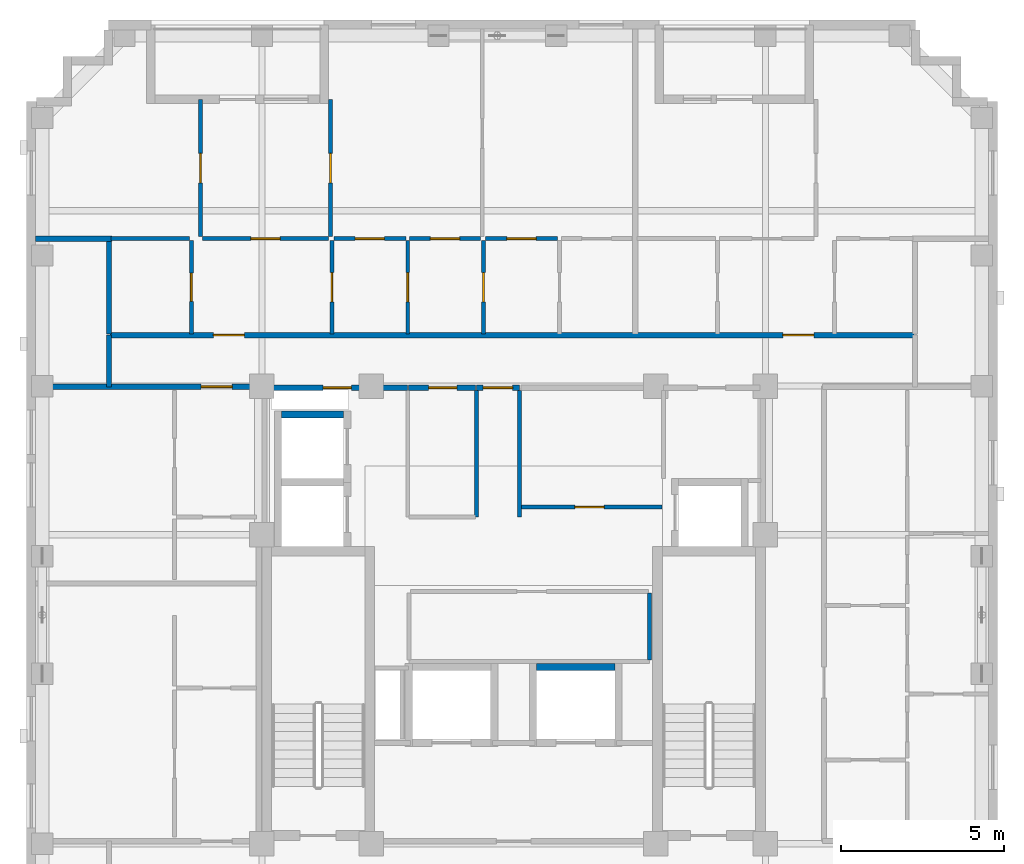
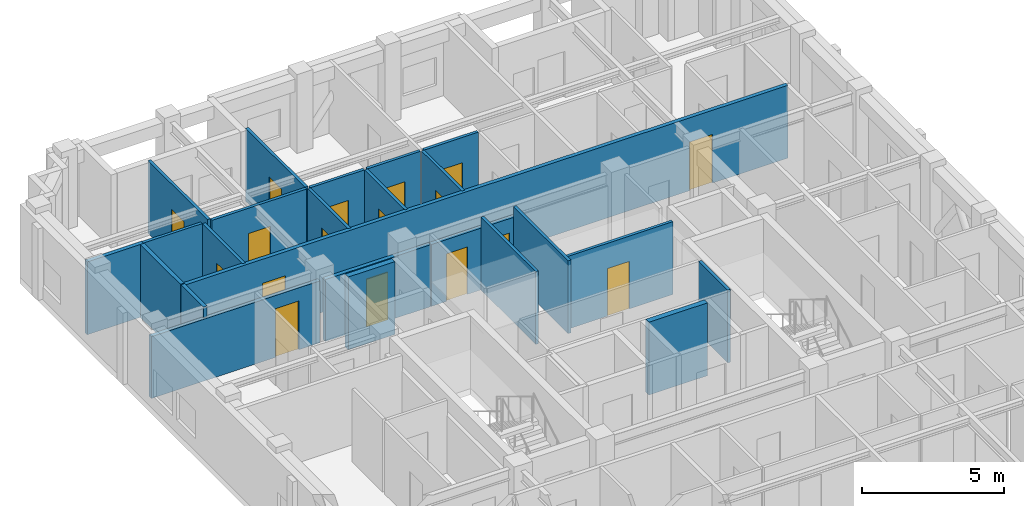
# One storey, part 5 of 11: 25 walls, 17 doors, 17 openings.
"""IFC4 building model written with IfcOpenShell, lengths in metres."""

from ifc_helpers import new_model, si_unit, derived_unit, direction, frame, frame_2d, origin, place, context, subcontext, project, spatial, rectangle, extrude, material, layer, layer_set, type_object, element, fill, save


model = new_model("IFC4")

# Units and contexts
model_context = context("Model", 3, precision=1e-05, world=origin(), true_north=direction((0.0, 1.0)))
body_context = subcontext(model_context, "Body", "Model", "MODEL_VIEW")
ifc_project = project(units=[si_unit("LENGTHUNIT", "METRE"), si_unit("AREAUNIT", "SQUARE_METRE"), si_unit("VOLUMEUNIT", "CUBIC_METRE"), si_unit("PLANEANGLEUNIT", "RADIAN"), si_unit("MASSUNIT", "GRAM", prefix="KILO"), derived_unit("THERMALTRANSMITTANCEUNIT", [(si_unit("MASSUNIT", "GRAM", prefix="KILO"), 1), (si_unit("TIMEUNIT", "SECOND"), -3), (si_unit("THERMODYNAMICTEMPERATUREUNIT", "KELVIN"), -1)])], contexts=[model_context])

# Site, building, storey
site_placement = place(None, origin())
site = spatial("IfcSite", under=ifc_project, at=site_placement, CompositionType="ELEMENT")
building_placement = place(site_placement, origin())
building = spatial("IfcBuilding", under=site, at=building_placement, Name="Korrvale Station Residences", CompositionType="ELEMENT")
storey_placement = place(building_placement, frame((0.0, 0.0, 247.89990234375)))
storey = spatial("IfcBuildingStorey", under=building, at=storey_placement, Name="L72", CompositionType="ELEMENT", Elevation=247.89990234375)

# Walls
ifc_material_1 = material(Name="Acoustic steel-stud gypsum board partition", Category="steel")
ifc_layer_1 = layer(ifc_material_1, 0.1201171875, Name="Acoustic steel-stud gypsum board partition")
ifc_layer_set_1 = layer_set([ifc_layer_1], Name="Acoustic steel-stud gypsum board partition")
wall_type_1 = type_object("IfcWallType", Name="WAL-PART-125", PredefinedType="PARTITIONING", material=ifc_layer_set_1)
for number, where, z_axis, x_axis, name in (
    (1, (24.360107421875, 25.0, 0.0), (0.0, 0.0, 1.0), (0.0, 1.0, 0.0), "L72 Core Partition CW-PSG-W"),
    (2, (25.679931640625, 25.0, 0.0), (0.0, 0.0, 1.0), (0.0, 1.0, 0.0), "L72 Core Partition CW-PSG-E"),
):
    element("IfcWall", number, at=place(storey_placement, frame(where, z_axis=z_axis, x_axis=x_axis)), inside=storey, type_object=wall_type_1, Name=name, PredefinedType="PARTITIONING", context=body_context, shape_type="SweptSolid", body=[
        extrude(rectangle(XDim=3.8701171875, YDim=0.1201171875, at=frame_2d((1.93505859375, 0.0))), origin(), (0.0, 0.0, 1.0), 3.14013671875),
    ])

# Wall, opening, door
wall_1_placement = place(storey_placement, frame((25.719970703125, 25.300048828125, 0.0), z_axis=(0.0, 0.0, 1.0), x_axis=(1.0, 0.0, 0.0)))
wall_1 = element("IfcWall", 3, at=wall_1_placement, inside=storey, type_object=wall_type_1, Name="L72 Core Partition CW-FPLE-S", PredefinedType="PARTITIONING", context=body_context, shape_type="SweptSolid", body=[
    extrude(rectangle(XDim=4.320068359375, YDim=0.1201171875, at=frame_2d((2.16015625, 0.0))), origin(), (0.0, 0.0, 1.0), 3.14013671875),
])
opening_1_placement = place(wall_1_placement, frame((1.64990234375, 0.0, 0.0)))
opening_1 = element("IfcOpeningElement", 4, at=opening_1_placement, cuts=wall_1, Name="Opening DI-900", PredefinedType="OPENING", context=body_context, shape_type="SweptSolid", body=[
    extrude(rectangle(XDim=0.89990234375, YDim=2.050048828125, at=frame_2d((0.449951171875, 1.02490234375))), frame((0.0, 0.070068359375, 0.0), z_axis=(0.0, -1.0, 0.0), x_axis=(1.0, 0.0, 0.0)), (0.0, 0.0, 1.0), 0.14013671875),
])
ifc_material_2 = material(Name="Painted solid-core timber interior room door", Category="wood")
door_type_1 = type_object("IfcDoorType", Name="DR-INT-900", OperationType="NOTDEFINED", PredefinedType="DOOR", material=ifc_material_2)
door_1_placement = place(opening_1_placement, origin())
door_1 = element("IfcDoor", 5, at=door_1_placement, inside=storey, type_object=door_type_1, Name="L72 Housekeeping Linen Door", OperationType="SINGLE_SWING_LEFT", OverallHeight=2.050048828125, OverallWidth=0.89990234375, PredefinedType="DOOR", context=body_context, shape_type="SweptSolid", body=[
    extrude(rectangle(XDim=0.89990234375, YDim=2.050048828125, at=frame_2d((0.449951171875, 1.02490234375))), frame((0.0, 0.02490234375, 0.0), z_axis=(0.0, -1.0, 0.0), x_axis=(1.0, 0.0, 0.0)), (0.0, 0.0, 1.0), 0.050048828125),
])
fill(opening_1, door_1)

# Wall
wall_2_placement = place(storey_placement, frame((29.659912109375, 20.6201171875, 0.0), z_axis=(0.0, 0.0, 1.0), x_axis=(0.0, 1.0, 0.0)))
element("IfcWall", 6, at=wall_2_placement, inside=storey, type_object=wall_type_1, Name="L72 Core Partition CW-FPM-E", PredefinedType="PARTITIONING", context=body_context, shape_type="SweptSolid", body=[
    extrude(rectangle(XDim=2.059814453125, YDim=0.1201171875, at=frame_2d((1.02978515625, 0.0))), origin(), (0.0, 0.0, 1.0), 3.14013671875),
])

# Wall, opening, door
wall_3_placement = place(storey_placement, frame((15.639892578125, 30.60009765625, 0.0), z_axis=(0.0, 0.0, 1.0), x_axis=(0.0, 1.0, 0.0)))
wall_3 = element("IfcWall", 7, at=wall_3_placement, inside=storey, type_object=wall_type_1, Name="L72 Suite Partition U04-V01", PredefinedType="PARTITIONING", context=body_context, shape_type="SweptSolid", body=[
    extrude(rectangle(XDim=2.849853515625, YDim=0.1201171875, at=frame_2d((1.4248046875, 0.0))), origin(), (0.0, 0.0, 1.0), 3.14013671875),
])
opening_2_placement = place(wall_3_placement, frame((0.9951171875, 0.0, 0.0)))
opening_2 = element("IfcOpeningElement", 8, at=opening_2_placement, cuts=wall_3, Name="Opening DB-860", PredefinedType="OPENING", context=body_context, shape_type="SweptSolid", body=[
    extrude(rectangle(XDim=0.860107421875, YDim=2.050048828125, at=frame_2d((0.43017578125, 1.02490234375))), frame((0.0, 0.070068359375, 0.0), z_axis=(0.0, -1.0, 0.0), x_axis=(1.0, 0.0, 0.0)), (0.0, 0.0, 1.0), 0.14013671875),
])
ifc_material_3 = material(Name="Moisture-resistant solid-core bathroom door", Category="timber")
door_type_2 = type_object("IfcDoorType", Name="DR-BATH-860", OperationType="NOTDEFINED", PredefinedType="DOOR", material=ifc_material_3)
door_2_placement = place(opening_2_placement, origin())
door_2 = element("IfcDoor", 9, at=door_2_placement, inside=storey, type_object=door_type_2, Name="L72 Apartment 2BR L72-U04 Bathroom Door", OperationType="SINGLE_SWING_RIGHT", OverallHeight=2.050048828125, OverallWidth=0.860107421875, PredefinedType="DOOR", context=body_context, shape_type="SweptSolid", body=[
    extrude(rectangle(XDim=0.860107421875, YDim=2.050048828125, at=frame_2d((0.43017578125, 1.02490234375))), frame((0.0, 0.02490234375, 0.0), z_axis=(0.0, -1.0, 0.0), x_axis=(1.0, 0.0, 0.0)), (0.0, 0.0, 1.0), 0.050048828125),
])
fill(opening_2, door_2)

# Wall
wall_4_placement = place(storey_placement, frame((13.179931640625, 33.510009765625, 0.0), z_axis=(0.0, 0.0, 1.0), x_axis=(1.0, 0.0, 0.0)))
element("IfcWall", 10, at=wall_4_placement, inside=storey, type_object=wall_type_1, Name="L72 Suite Partition U04-H06", PredefinedType="PARTITIONING", context=body_context, shape_type="SweptSolid", body=[
    extrude(rectangle(XDim=2.400146484375, YDim=0.1201171875, at=frame_2d((1.2001953125, 0.0))), origin(), (0.0, 0.0, 1.0), 3.14013671875),
])

# Wall, opening, door
wall_5_placement = place(storey_placement, frame((19.93994140625, 30.60009765625, 0.0), z_axis=(0.0, 0.0, 1.0), x_axis=(0.0, 1.0, 0.0)))
wall_5 = element("IfcWall", 11, at=wall_5_placement, inside=storey, type_object=wall_type_1, Name="L72 Suite Partition U04-V12", PredefinedType="PARTITIONING", context=body_context, shape_type="SweptSolid", body=[
    extrude(rectangle(XDim=2.849853515625, YDim=0.1201171875, at=frame_2d((1.4248046875, 0.0))), origin(), (0.0, 0.0, 1.0), 3.14013671875),
])
opening_3_placement = place(wall_5_placement, frame((0.97509765625, 0.0, 0.0)))
opening_3 = element("IfcOpeningElement", 12, at=opening_3_placement, cuts=wall_5, Name="Opening DI-900", PredefinedType="OPENING", context=body_context, shape_type="SweptSolid", body=[
    extrude(rectangle(XDim=0.89990234375, YDim=2.050048828125, at=frame_2d((0.449951171875, 1.02490234375))), frame((0.0, 0.070068359375, 0.0), z_axis=(0.0, -1.0, 0.0), x_axis=(1.0, 0.0, 0.0)), (0.0, 0.0, 1.0), 0.14013671875),
])
door_3_placement = place(opening_3_placement, origin())
door_3 = element("IfcDoor", 13, at=door_3_placement, inside=storey, type_object=door_type_1, Name="L72 Apartment 2BR L72-U04 Kitchen Door", OperationType="SINGLE_SWING_LEFT", OverallHeight=2.050048828125, OverallWidth=0.89990234375, PredefinedType="DOOR", context=body_context, shape_type="SweptSolid", body=[
    extrude(rectangle(XDim=0.89990234375, YDim=2.050048828125, at=frame_2d((0.449951171875, 1.02490234375))), frame((0.0, 0.02490234375, 0.0), z_axis=(0.0, -1.0, 0.0), x_axis=(1.0, 0.0, 0.0)), (0.0, 0.0, 1.0), 0.050048828125),
])
fill(opening_3, door_3)

wall_6_placement = place(storey_placement, frame((15.97802734375, 33.510009765625, 0.0), z_axis=(0.0, 0.0, 1.0), x_axis=(1.0, 0.0, 0.0)))
wall_6 = element("IfcWall", 14, at=wall_6_placement, inside=storey, type_object=wall_type_1, Name="L72 Suite Partition U04-H17", PredefinedType="PARTITIONING", context=body_context, shape_type="SweptSolid", body=[
    extrude(rectangle(XDim=3.862060546875, YDim=0.1201171875, at=frame_2d((1.93115234375, 0.0))), origin(), (0.0, 0.0, 1.0), 3.14013671875),
])
opening_4_placement = place(wall_6_placement, frame((1.48095703125, 0.0, 0.0)))
opening_4 = element("IfcOpeningElement", 15, at=opening_4_placement, cuts=wall_6, Name="Opening DI-900", PredefinedType="OPENING", context=body_context, shape_type="SweptSolid", body=[
    extrude(rectangle(XDim=0.89990234375, YDim=2.050048828125, at=frame_2d((0.449951171875, 1.02490234375))), frame((0.0, 0.070068359375, 0.0), z_axis=(0.0, -1.0, 0.0), x_axis=(1.0, 0.0, 0.0)), (0.0, 0.0, 1.0), 0.14013671875),
])
door_4_placement = place(opening_4_placement, origin())
door_4 = element("IfcDoor", 16, at=door_4_placement, inside=storey, type_object=door_type_1, Name="L72 Apartment 2BR L72-U04 Kitchen Door", OperationType="SINGLE_SWING_RIGHT", OverallHeight=2.050048828125, OverallWidth=0.89990234375, PredefinedType="DOOR", context=body_context, shape_type="SweptSolid", body=[
    extrude(rectangle(XDim=0.89990234375, YDim=2.050048828125, at=frame_2d((0.449951171875, 1.02490234375))), frame((0.0, 0.02490234375, 0.0), z_axis=(0.0, -1.0, 0.0), x_axis=(1.0, 0.0, 0.0)), (0.0, 0.0, 1.0), 0.050048828125),
])
fill(opening_4, door_4)

wall_7_placement = place(storey_placement, frame((22.260009765625, 30.60009765625, 0.0), z_axis=(0.0, 0.0, 1.0), x_axis=(0.0, 1.0, 0.0)))
wall_7 = element("IfcWall", 17, at=wall_7_placement, inside=storey, type_object=wall_type_1, Name="L72 Suite Partition U04-V23", PredefinedType="PARTITIONING", context=body_context, shape_type="SweptSolid", body=[
    extrude(rectangle(XDim=2.849853515625, YDim=0.1201171875, at=frame_2d((1.4248046875, 0.0))), origin(), (0.0, 0.0, 1.0), 3.14013671875),
])
opening_5_placement = place(wall_7_placement, frame((0.97509765625, 0.0, 0.0)))
opening_5 = element("IfcOpeningElement", 18, at=opening_5_placement, cuts=wall_7, Name="Opening DI-900", PredefinedType="OPENING", context=body_context, shape_type="SweptSolid", body=[
    extrude(rectangle(XDim=0.89990234375, YDim=2.050048828125, at=frame_2d((0.449951171875, 1.02490234375))), frame((0.0, 0.070068359375, 0.0), z_axis=(0.0, -1.0, 0.0), x_axis=(1.0, 0.0, 0.0)), (0.0, 0.0, 1.0), 0.14013671875),
])
door_5_placement = place(opening_5_placement, origin())
door_5 = element("IfcDoor", 19, at=door_5_placement, inside=storey, type_object=door_type_1, Name="L72 Apartment 2BR L72-U04 Wardrobe Storage Room Door", OperationType="SINGLE_SWING_LEFT", OverallHeight=2.050048828125, OverallWidth=0.89990234375, PredefinedType="DOOR", context=body_context, shape_type="SweptSolid", body=[
    extrude(rectangle(XDim=0.89990234375, YDim=2.050048828125, at=frame_2d((0.449951171875, 1.02490234375))), frame((0.0, 0.02490234375, 0.0), z_axis=(0.0, -1.0, 0.0), x_axis=(1.0, 0.0, 0.0)), (0.0, 0.0, 1.0), 0.050048828125),
])
fill(opening_5, door_5)

wall_8_placement = place(storey_placement, frame((20.0, 33.510009765625, 0.0), z_axis=(0.0, 0.0, 1.0), x_axis=(1.0, 0.0, 0.0)))
wall_8 = element("IfcWall", 20, at=wall_8_placement, inside=storey, type_object=wall_type_1, Name="L72 Suite Partition U04-H28", PredefinedType="PARTITIONING", context=body_context, shape_type="SweptSolid", body=[
    extrude(rectangle(XDim=2.199951171875, YDim=0.1201171875, at=frame_2d((1.10009765625, 0.0))), origin(), (0.0, 0.0, 1.0), 3.14013671875),
])
opening_6_placement = place(wall_8_placement, frame((0.64990234375, 0.0, 0.0)))
opening_6 = element("IfcOpeningElement", 21, at=opening_6_placement, cuts=wall_8, Name="Opening DI-900", PredefinedType="OPENING", context=body_context, shape_type="SweptSolid", body=[
    extrude(rectangle(XDim=0.89990234375, YDim=2.050048828125, at=frame_2d((0.449951171875, 1.02490234375))), frame((0.0, 0.070068359375, 0.0), z_axis=(0.0, -1.0, 0.0), x_axis=(1.0, 0.0, 0.0)), (0.0, 0.0, 1.0), 0.14013671875),
])
door_6_placement = place(opening_6_placement, origin())
door_6 = element("IfcDoor", 22, at=door_6_placement, inside=storey, type_object=door_type_1, Name="L72 Apartment 2BR L72-U04 Wardrobe Storage Room Door", OperationType="SINGLE_SWING_RIGHT", OverallHeight=2.050048828125, OverallWidth=0.89990234375, PredefinedType="DOOR", context=body_context, shape_type="SweptSolid", body=[
    extrude(rectangle(XDim=0.89990234375, YDim=2.050048828125, at=frame_2d((0.449951171875, 1.02490234375))), frame((0.0, 0.02490234375, 0.0), z_axis=(0.0, -1.0, 0.0), x_axis=(1.0, 0.0, 0.0)), (0.0, 0.0, 1.0), 0.050048828125),
])
fill(opening_6, door_6)

wall_9_placement = place(storey_placement, frame((24.580078125, 30.60009765625, 0.0), z_axis=(0.0, 0.0, 1.0), x_axis=(0.0, 1.0, 0.0)))
wall_9 = element("IfcWall", 23, at=wall_9_placement, inside=storey, type_object=wall_type_1, Name="L72 Suite Partition U04-V34", PredefinedType="PARTITIONING", context=body_context, shape_type="SweptSolid", body=[
    extrude(rectangle(XDim=2.849853515625, YDim=0.1201171875, at=frame_2d((1.4248046875, 0.0))), origin(), (0.0, 0.0, 1.0), 3.14013671875),
])
opening_7_placement = place(wall_9_placement, frame((0.97509765625, 0.0, 0.0)))
opening_7 = element("IfcOpeningElement", 24, at=opening_7_placement, cuts=wall_9, Name="Opening DI-900", PredefinedType="OPENING", context=body_context, shape_type="SweptSolid", body=[
    extrude(rectangle(XDim=0.89990234375, YDim=2.050048828125, at=frame_2d((0.449951171875, 1.02490234375))), frame((0.0, 0.070068359375, 0.0), z_axis=(0.0, -1.0, 0.0), x_axis=(1.0, 0.0, 0.0)), (0.0, 0.0, 1.0), 0.14013671875),
])
door_7_placement = place(opening_7_placement, origin())
door_7 = element("IfcDoor", 25, at=door_7_placement, inside=storey, type_object=door_type_1, Name="L72 Apartment 2BR L72-U04 Wardrobe Storage Room Door", OperationType="SINGLE_SWING_LEFT", OverallHeight=2.050048828125, OverallWidth=0.89990234375, PredefinedType="DOOR", context=body_context, shape_type="SweptSolid", body=[
    extrude(rectangle(XDim=0.89990234375, YDim=2.050048828125, at=frame_2d((0.449951171875, 1.02490234375))), frame((0.0, 0.02490234375, 0.0), z_axis=(0.0, -1.0, 0.0), x_axis=(1.0, 0.0, 0.0)), (0.0, 0.0, 1.0), 0.050048828125),
])
fill(opening_7, door_7)

wall_10_placement = place(storey_placement, frame((22.320068359375, 33.510009765625, 0.0), z_axis=(0.0, 0.0, 1.0), x_axis=(1.0, 0.0, 0.0)))
wall_10 = element("IfcWall", 26, at=wall_10_placement, inside=storey, type_object=wall_type_1, Name="L72 Suite Partition U04-H38", PredefinedType="PARTITIONING", context=body_context, shape_type="SweptSolid", body=[
    extrude(rectangle(XDim=2.159912109375, YDim=0.1201171875, at=frame_2d((1.080078125, 0.0))), origin(), (0.0, 0.0, 1.0), 3.14013671875),
])
opening_8_placement = place(wall_10_placement, frame((0.6298828125, 0.0, 0.0)))
opening_8 = element("IfcOpeningElement", 27, at=opening_8_placement, cuts=wall_10, Name="Opening DI-900", PredefinedType="OPENING", context=body_context, shape_type="SweptSolid", body=[
    extrude(rectangle(XDim=0.89990234375, YDim=2.050048828125, at=frame_2d((0.449951171875, 1.02490234375))), frame((0.0, 0.070068359375, 0.0), z_axis=(0.0, -1.0, 0.0), x_axis=(1.0, 0.0, 0.0)), (0.0, 0.0, 1.0), 0.14013671875),
])
door_8_placement = place(opening_8_placement, origin())
door_8 = element("IfcDoor", 28, at=door_8_placement, inside=storey, type_object=door_type_1, Name="L72 Apartment 2BR L72-U04 Wardrobe Storage Room Door", OperationType="SINGLE_SWING_RIGHT", OverallHeight=2.050048828125, OverallWidth=0.89990234375, PredefinedType="DOOR", context=body_context, shape_type="SweptSolid", body=[
    extrude(rectangle(XDim=0.89990234375, YDim=2.050048828125, at=frame_2d((0.449951171875, 1.02490234375))), frame((0.0, 0.02490234375, 0.0), z_axis=(0.0, -1.0, 0.0), x_axis=(1.0, 0.0, 0.0)), (0.0, 0.0, 1.0), 0.050048828125),
])
fill(opening_8, door_8)

wall_11_placement = place(storey_placement, frame((24.639892578125, 33.510009765625, 0.0), z_axis=(0.0, 0.0, 1.0), x_axis=(1.0, 0.0, 0.0)))
wall_11 = element("IfcWall", 29, at=wall_11_placement, inside=storey, type_object=wall_type_1, Name="L72 Suite Partition U04-H49", PredefinedType="PARTITIONING", context=body_context, shape_type="SweptSolid", body=[
    extrude(rectangle(XDim=2.2001953125, YDim=0.1201171875, at=frame_2d((1.10009765625, 0.0))), origin(), (0.0, 0.0, 1.0), 3.14013671875),
])
opening_9_placement = place(wall_11_placement, frame((0.64990234375, 0.0, 0.0)))
opening_9 = element("IfcOpeningElement", 30, at=opening_9_placement, cuts=wall_11, Name="Opening DI-900", PredefinedType="OPENING", context=body_context, shape_type="SweptSolid", body=[
    extrude(rectangle(XDim=0.89990234375, YDim=2.050048828125, at=frame_2d((0.449951171875, 1.02490234375))), frame((0.0, 0.070068359375, 0.0), z_axis=(0.0, -1.0, 0.0), x_axis=(1.0, 0.0, 0.0)), (0.0, 0.0, 1.0), 0.14013671875),
])
door_9_placement = place(opening_9_placement, origin())
door_9 = element("IfcDoor", 31, at=door_9_placement, inside=storey, type_object=door_type_1, Name="L72 Apartment 2BR L72-U04 Wardrobe Storage Room Door", OperationType="SINGLE_SWING_RIGHT", OverallHeight=2.050048828125, OverallWidth=0.89990234375, PredefinedType="DOOR", context=body_context, shape_type="SweptSolid", body=[
    extrude(rectangle(XDim=0.89990234375, YDim=2.050048828125, at=frame_2d((0.449951171875, 1.02490234375))), frame((0.0, 0.02490234375, 0.0), z_axis=(0.0, -1.0, 0.0), x_axis=(1.0, 0.0, 0.0)), (0.0, 0.0, 1.0), 0.050048828125),
])
fill(opening_9, door_9)

wall_12_placement = place(storey_placement, frame((15.91796875, 33.570068359375, 0.0), z_axis=(0.0, 0.0, 1.0), x_axis=(0.0, 1.0, 0.0)))
wall_12 = element("IfcWall", 32, at=wall_12_placement, inside=storey, type_object=wall_type_1, Name="L72 Suite Partition U04-V67", PredefinedType="PARTITIONING", context=body_context, shape_type="SweptSolid", body=[
    extrude(rectangle(XDim=4.199951171875, YDim=0.1201171875, at=frame_2d((2.10009765625, 0.0))), origin(), (0.0, 0.0, 1.0), 3.14013671875),
])
opening_10_placement = place(wall_12_placement, frame((1.64990234375, 0.0, 0.0)))
opening_10 = element("IfcOpeningElement", 33, at=opening_10_placement, cuts=wall_12, Name="Opening DI-900", PredefinedType="OPENING", context=body_context, shape_type="SweptSolid", body=[
    extrude(rectangle(XDim=0.89990234375, YDim=2.050048828125, at=frame_2d((0.449951171875, 1.02490234375))), frame((0.0, 0.070068359375, 0.0), z_axis=(0.0, -1.0, 0.0), x_axis=(1.0, 0.0, 0.0)), (0.0, 0.0, 1.0), 0.14013671875),
])
door_10_placement = place(opening_10_placement, origin())
door_10 = element("IfcDoor", 34, at=door_10_placement, inside=storey, type_object=door_type_1, Name="L72 Apartment 2BR L72-U04 Living and Dining Room Door", OperationType="SINGLE_SWING_RIGHT", OverallHeight=2.050048828125, OverallWidth=0.89990234375, PredefinedType="DOOR", context=body_context, shape_type="SweptSolid", body=[
    extrude(rectangle(XDim=0.89990234375, YDim=2.050048828125, at=frame_2d((0.449951171875, 1.02490234375))), frame((0.0, 0.02490234375, 0.0), z_axis=(0.0, -1.0, 0.0), x_axis=(1.0, 0.0, 0.0)), (0.0, 0.0, 1.0), 0.050048828125),
])
fill(opening_10, door_10)

wall_13_placement = place(storey_placement, frame((19.89990234375, 33.570068359375, 0.0), z_axis=(0.0, 0.0, 1.0), x_axis=(0.0, 1.0, 0.0)))
wall_13 = element("IfcWall", 35, at=wall_13_placement, inside=storey, type_object=wall_type_1, Name="L72 Suite Partition U04-V78", PredefinedType="PARTITIONING", context=body_context, shape_type="SweptSolid", body=[
    extrude(rectangle(XDim=4.199951171875, YDim=0.1201171875, at=frame_2d((2.10009765625, 0.0))), origin(), (0.0, 0.0, 1.0), 3.14013671875),
])
opening_11_placement = place(wall_13_placement, frame((1.64990234375, 0.0, 0.0)))
opening_11 = element("IfcOpeningElement", 36, at=opening_11_placement, cuts=wall_13, Name="Opening DI-900", PredefinedType="OPENING", context=body_context, shape_type="SweptSolid", body=[
    extrude(rectangle(XDim=0.89990234375, YDim=2.050048828125, at=frame_2d((0.449951171875, 1.02490234375))), frame((0.0, 0.070068359375, 0.0), z_axis=(0.0, -1.0, 0.0), x_axis=(1.0, 0.0, 0.0)), (0.0, 0.0, 1.0), 0.14013671875),
])
door_11_placement = place(opening_11_placement, origin())
door_11 = element("IfcDoor", 37, at=door_11_placement, inside=storey, type_object=door_type_1, Name="L72 Apartment 2BR L72-U04 Formal Dining Room Door", OperationType="SINGLE_SWING_LEFT", OverallHeight=2.050048828125, OverallWidth=0.89990234375, PredefinedType="DOOR", context=body_context, shape_type="SweptSolid", body=[
    extrude(rectangle(XDim=0.89990234375, YDim=2.050048828125, at=frame_2d((0.449951171875, 1.02490234375))), frame((0.0, 0.02490234375, 0.0), z_axis=(0.0, -1.0, 0.0), x_axis=(1.0, 0.0, 0.0)), (0.0, 0.0, 1.0), 0.050048828125),
])
fill(opening_11, door_11)

ifc_material_4 = material(Name="Fire-rated twin-stud gypsum and mineral wool shaftwall assembly", Category="gypsum")
ifc_layer_2 = layer(ifc_material_4, 0.159912109375, Name="Fire-rated twin-stud gypsum and mineral wool shaftwall assembly")
ifc_layer_set_2 = layer_set([ifc_layer_2], Name="Fire-rated twin-stud gypsum and mineral wool shaftwall assembly")
wall_type_2 = type_object("IfcWallType", Name="WAL-PART-200", PredefinedType="PARTITIONING", material=ifc_layer_set_2)
wall_14_placement = place(storey_placement, frame((24.360107421875, 28.949951171875, 0.0), z_axis=(0.0, 0.0, 1.0), x_axis=(1.0, 0.0, 0.0)))
wall_14 = element("IfcWall", 38, at=wall_14_placement, inside=storey, type_object=wall_type_2, Name="L72 Core Partition CW-LLOB-N", PredefinedType="PARTITIONING", context=body_context, shape_type="SweptSolid", body=[
    extrude(rectangle(XDim=1.31982421875, YDim=0.159912109375, at=frame_2d((0.659912109375, 0.0))), origin(), (0.0, 0.0, 1.0), 2.668212890625),
])
opening_12_placement = place(wall_14_placement, frame((0.2099609375, 0.0, 0.0)))
opening_12 = element("IfcOpeningElement", 39, at=opening_12_placement, cuts=wall_14, Name="Opening DI-900", PredefinedType="OPENING", context=body_context, shape_type="SweptSolid", body=[
    extrude(rectangle(XDim=0.89990234375, YDim=2.050048828125, at=frame_2d((0.449951171875, 1.02490234375))), frame((0.0, 0.08984375, 0.0), z_axis=(0.0, -1.0, 0.0), x_axis=(1.0, 0.0, 0.0)), (0.0, 0.0, 1.0), 0.179931640625),
])
door_12_placement = place(opening_12_placement, origin())
door_12 = element("IfcDoor", 40, at=door_12_placement, inside=storey, type_object=door_type_1, Name="L72 Central Hallway North Passage Door", OperationType="SINGLE_SWING_LEFT", OverallHeight=2.050048828125, OverallWidth=0.89990234375, PredefinedType="DOOR", context=body_context, shape_type="SweptSolid", body=[
    extrude(rectangle(XDim=0.89990234375, YDim=2.050048828125, at=frame_2d((0.449951171875, 1.02490234375))), frame((0.0, 0.02490234375, 0.0), z_axis=(0.0, -1.0, 0.0), x_axis=(1.0, 0.0, 0.0)), (0.0, 0.0, 1.0), 0.050048828125),
])
fill(opening_12, door_12)

wall_15_placement = place(storey_placement, frame((17.9599609375, 28.949951171875, 0.0), z_axis=(0.0, 0.0, 1.0), x_axis=(1.0, 0.0, 0.0)))
wall_15 = element("IfcWall", 41, at=wall_15_placement, inside=storey, type_object=wall_type_2, Name="L72 Core Partition CW-NW", PredefinedType="PARTITIONING", context=body_context, shape_type="SweptSolid", body=[
    extrude(rectangle(XDim=4.2900390625, YDim=0.159912109375, at=frame_2d((2.14501953125, 0.0))), origin(), (0.0, 0.0, 1.0), 2.668212890625),
])
opening_13_placement = place(wall_15_placement, frame((1.715087890625, 0.0, 0.0)))
opening_13 = element("IfcOpeningElement", 42, at=opening_13_placement, cuts=wall_15, Name="Opening DB-860", PredefinedType="OPENING", context=body_context, shape_type="SweptSolid", body=[
    extrude(rectangle(XDim=0.860107421875, YDim=2.050048828125, at=frame_2d((0.43017578125, 1.02490234375))), frame((0.0, 0.08984375, 0.0), z_axis=(0.0, -1.0, 0.0), x_axis=(1.0, 0.0, 0.0)), (0.0, 0.0, 1.0), 0.179931640625),
])
door_13_placement = place(opening_13_placement, origin())
door_13 = element("IfcDoor", 43, at=door_13_placement, inside=storey, type_object=door_type_2, Name="L72 Electrical Riser Access Door", OperationType="SINGLE_SWING_RIGHT", OverallHeight=2.050048828125, OverallWidth=0.860107421875, PredefinedType="DOOR", context=body_context, shape_type="SweptSolid", body=[
    extrude(rectangle(XDim=0.860107421875, YDim=2.050048828125, at=frame_2d((0.43017578125, 1.02490234375))), frame((0.0, 0.02490234375, 0.0), z_axis=(0.0, -1.0, 0.0), x_axis=(1.0, 0.0, 0.0)), (0.0, 0.0, 1.0), 0.050048828125),
])
fill(opening_13, door_13)

wall_16_placement = place(storey_placement, frame((22.280029296875, 28.949951171875, 0.0), z_axis=(0.0, 0.0, 1.0), x_axis=(1.0, 0.0, 0.0)))
wall_16 = element("IfcWall", 44, at=wall_16_placement, inside=storey, type_object=wall_type_2, Name="L72 Core Partition CW-FPLW-N", PredefinedType="PARTITIONING", context=body_context, shape_type="SweptSolid", body=[
    extrude(rectangle(XDim=2.06005859375, YDim=0.159912109375, at=frame_2d((1.030029296875, 0.0))), origin(), (0.0, 0.0, 1.0), 2.668212890625),
])
opening_14_placement = place(wall_16_placement, frame((0.6201171875, 0.0, 0.0)))
opening_14 = element("IfcOpeningElement", 45, at=opening_14_placement, cuts=wall_16, Name="Opening DB-860", PredefinedType="OPENING", context=body_context, shape_type="SweptSolid", body=[
    extrude(rectangle(XDim=0.860107421875, YDim=2.050048828125, at=frame_2d((0.43017578125, 1.02490234375))), frame((0.0, 0.08984375, 0.0), z_axis=(0.0, -1.0, 0.0), x_axis=(1.0, 0.0, 0.0)), (0.0, 0.0, 1.0), 0.179931640625),
])
door_14_placement = place(opening_14_placement, origin())
door_14 = element("IfcDoor", 46, at=door_14_placement, inside=storey, type_object=door_type_2, Name="L72 Resident Parcel Room Door", OperationType="SINGLE_SWING_RIGHT", OverallHeight=2.050048828125, OverallWidth=0.860107421875, PredefinedType="DOOR", context=body_context, shape_type="SweptSolid", body=[
    extrude(rectangle(XDim=0.860107421875, YDim=2.050048828125, at=frame_2d((0.43017578125, 1.02490234375))), frame((0.0, 0.02490234375, 0.0), z_axis=(0.0, -1.0, 0.0), x_axis=(1.0, 0.0, 0.0)), (0.0, 0.0, 1.0), 0.050048828125),
])
fill(opening_14, door_14)

# Walls
wall_17_placement = place(storey_placement, frame((13.1201171875, 28.97998046875, 0.0), z_axis=(0.0, 0.0, 1.0), x_axis=(0.0, 1.0, 0.0)))
element("IfcWall", 47, at=wall_17_placement, inside=storey, type_object=wall_type_2, Name="L72 Corridor North West Cap", PredefinedType="PARTITIONING", context=body_context, shape_type="SweptSolid", body=[
    extrude(rectangle(XDim=1.580078125, YDim=0.159912109375, at=frame_2d((0.7900390625, 0.0))), origin(), (0.0, 0.0, 1.0), 3.14013671875),
])
wall_18_placement = place(storey_placement, frame((10.8798828125, 33.510009765625, 0.0), z_axis=(0.0, 0.0, 1.0), x_axis=(1.0, 0.0, 0.0)))
element("IfcWall", 48, at=wall_18_placement, inside=storey, type_object=wall_type_2, Name="L72 Corner Step Wall U04-L", PredefinedType="PARTITIONING", context=body_context, shape_type="SweptSolid", body=[
    extrude(rectangle(XDim=2.340087890625, YDim=0.159912109375, at=frame_2d((1.169921875, 0.0))), origin(), (0.0, 0.0, 1.0), 3.14013671875),
])
wall_19_placement = place(storey_placement, frame((13.1201171875, 30.60009765625, 0.0), z_axis=(0.0, 0.0, 1.0), x_axis=(0.0, 1.0, 0.0)))
element("IfcWall", 49, at=wall_19_placement, inside=storey, type_object=wall_type_2, Name="L72 Corner Step Cheek U04-L", PredefinedType="PARTITIONING", context=body_context, shape_type="SweptSolid", body=[
    extrude(rectangle(XDim=2.909912109375, YDim=0.159912109375, at=frame_2d((1.455078125, 0.0))), origin(), (0.0, 0.0, 1.0), 3.14013671875),
])

# Wall, opening, door
wall_20_placement = place(storey_placement, frame((10.8798828125, 28.97998046875, 0.0), z_axis=(0.0, 0.0, 1.0), x_axis=(1.0, 0.0, 0.0)))
wall_20 = element("IfcWall", 50, at=wall_20_placement, inside=storey, type_object=wall_type_2, Name="L72 Side Suite North Entry Wall U07", PredefinedType="PARTITIONING", context=body_context, shape_type="SweptSolid", body=[
    extrude(rectangle(XDim=6.880126953125, YDim=0.159912109375, at=frame_2d((3.43994140625, 0.0))), origin(), (0.0, 0.0, 1.0), 2.668212890625),
])
opening_15_placement = place(wall_20_placement, frame((5.06005859375, 0.0, 0.0)))
opening_15 = element("IfcOpeningElement", 51, at=opening_15_placement, cuts=wall_20, Name="Opening UD-950", PredefinedType="OPENING", context=body_context, shape_type="SweptSolid", body=[
    extrude(rectangle(XDim=0.949951171875, YDim=2.10009765625, at=frame_2d((0.47509765625, 1.050048828125))), frame((0.0, 0.08984375, 0.0), z_axis=(0.0, -1.0, 0.0), x_axis=(1.0, 0.0, 0.0)), (0.0, 0.0, 1.0), 0.179931640625),
])
ifc_material_5 = material(Name="Solid-core acoustic oak apartment entrance door", Category="timber")
door_type_3 = type_object("IfcDoorType", Name="DR-UNIT-950", OperationType="NOTDEFINED", PredefinedType="DOOR", material=ifc_material_5)
door_15_placement = place(opening_15_placement, origin())
door_15 = element("IfcDoor", 52, at=door_15_placement, inside=storey, type_object=door_type_3, Name="L72 Apartment L72-U07 Entrance Door", OperationType="SINGLE_SWING_LEFT", OverallHeight=2.10009765625, OverallWidth=0.949951171875, PredefinedType="DOOR", context=body_context, shape_type="SweptSolid", body=[
    extrude(rectangle(XDim=0.949951171875, YDim=2.10009765625, at=frame_2d((0.47509765625, 1.050048828125))), frame((0.0, 0.02490234375, 0.0), z_axis=(0.0, -1.0, 0.0), x_axis=(1.0, 0.0, 0.0)), (0.0, 0.0, 1.0), 0.050048828125),
])
fill(opening_15, door_15)

# Wall, openings, doors
wall_21_placement = place(storey_placement, frame((13.14990234375, 30.56005859375, 0.0), z_axis=(0.0, 0.0, 1.0), x_axis=(1.0, 0.0, 0.0)))
wall_21 = element("IfcWall", 53, at=wall_21_placement, inside=storey, type_object=wall_type_2, Name="L72 Rated Corridor Wall N", PredefinedType="PARTITIONING", context=body_context, shape_type="SweptSolid", body=[
    extrude(rectangle(XDim=24.60009765625, YDim=0.159912109375, at=frame_2d((12.300048828125, 0.0))), origin(), (0.0, 0.0, 1.0), 3.14013671875),
])
opening_16_placement = place(wall_21_placement, frame((3.1650390625, 0.0, 0.0)))
opening_16 = element("IfcOpeningElement", 54, at=opening_16_placement, cuts=wall_21, Name="Opening UD-950", PredefinedType="OPENING", context=body_context, shape_type="SweptSolid", body=[
    extrude(rectangle(XDim=0.949951171875, YDim=2.10009765625, at=frame_2d((0.47509765625, 1.050048828125))), frame((0.0, 0.08984375, 0.0), z_axis=(0.0, -1.0, 0.0), x_axis=(1.0, 0.0, 0.0)), (0.0, 0.0, 1.0), 0.179931640625),
])
opening_17_placement = place(wall_21_placement, frame((20.5849609375, 0.0, 0.0)))
opening_17 = element("IfcOpeningElement", 55, at=opening_17_placement, cuts=wall_21, Name="Opening UD-950", PredefinedType="OPENING", context=body_context, shape_type="SweptSolid", body=[
    extrude(rectangle(XDim=0.949951171875, YDim=2.10009765625, at=frame_2d((0.47509765625, 1.050048828125))), frame((0.0, 0.08984375, 0.0), z_axis=(0.0, -1.0, 0.0), x_axis=(1.0, 0.0, 0.0)), (0.0, 0.0, 1.0), 0.179931640625),
])
door_16_placement = place(opening_16_placement, origin())
door_16 = element("IfcDoor", 56, at=door_16_placement, inside=storey, type_object=door_type_3, Name="L72 Apartment L72-U04 Entrance Door", OperationType="SINGLE_SWING_LEFT", OverallHeight=2.10009765625, OverallWidth=0.949951171875, PredefinedType="DOOR", context=body_context, shape_type="SweptSolid", body=[
    extrude(rectangle(XDim=0.949951171875, YDim=2.10009765625, at=frame_2d((0.47509765625, 1.050048828125))), frame((0.0, 0.02490234375, 0.0), z_axis=(0.0, -1.0, 0.0), x_axis=(1.0, 0.0, 0.0)), (0.0, 0.0, 1.0), 0.050048828125),
])
fill(opening_16, door_16)
door_17_placement = place(opening_17_placement, origin())
door_17 = element("IfcDoor", 57, at=door_17_placement, inside=storey, type_object=door_type_3, Name="L72 Apartment L72-U05 Entrance Door", OperationType="SINGLE_SWING_RIGHT", OverallHeight=2.10009765625, OverallWidth=0.949951171875, PredefinedType="DOOR", context=body_context, shape_type="SweptSolid", body=[
    extrude(rectangle(XDim=0.949951171875, YDim=2.10009765625, at=frame_2d((0.47509765625, 1.050048828125))), frame((0.0, 0.02490234375, 0.0), z_axis=(0.0, -1.0, 0.0), x_axis=(1.0, 0.0, 0.0)), (0.0, 0.0, 1.0), 0.050048828125),
])
fill(opening_17, door_17)

# Walls
ifc_material_6 = material(Name="Concrete C50/60", Category="concrete")
ifc_layer_3 = layer(ifc_material_6, 0.219970703125, Name="Concrete C50/60")
ifc_layer_set_3 = layer_set([ifc_layer_3], Name="Concrete C50/60")
wall_type_3 = type_object("IfcWallType", Name="WAL-SHAFT-220-C50", PredefinedType="SHEAR", material=ifc_layer_set_3)
wall_22_placement = place(storey_placement, frame((18.39990234375, 28.1298828125, 0.0), z_axis=(0.0, 0.0, 1.0), x_axis=(1.0, 0.0, 0.0)))
element("IfcWall", 58, at=wall_22_placement, inside=storey, type_object=wall_type_3, Name="L72 Elevator PH-2 Hoistway Wall North", PredefinedType="SHEAR", context=body_context, shape_type="SweptSolid", body=[
    extrude(rectangle(XDim=1.900146484375, YDim=0.219970703125, at=frame_2d((0.9501953125, 0.0))), origin(), (0.0, 0.0, 1.0), 3.14013671875),
])
wall_23_placement = place(storey_placement, frame((26.199951171875, 20.409912109375, 0.0), z_axis=(0.0, 0.0, 1.0), x_axis=(1.0, 0.0, 0.0)))
element("IfcWall", 59, at=wall_23_placement, inside=storey, type_object=wall_type_3, Name="L72 Elevator FFL-2 Hoistway Wall North", PredefinedType="SHEAR", context=body_context, shape_type="SweptSolid", body=[
    extrude(rectangle(XDim=2.400146484375, YDim=0.219970703125, at=frame_2d((1.2001953125, 0.0))), origin(), (0.0, 0.0, 1.0), 3.14013671875),
])

save(model, "model.ifc")
